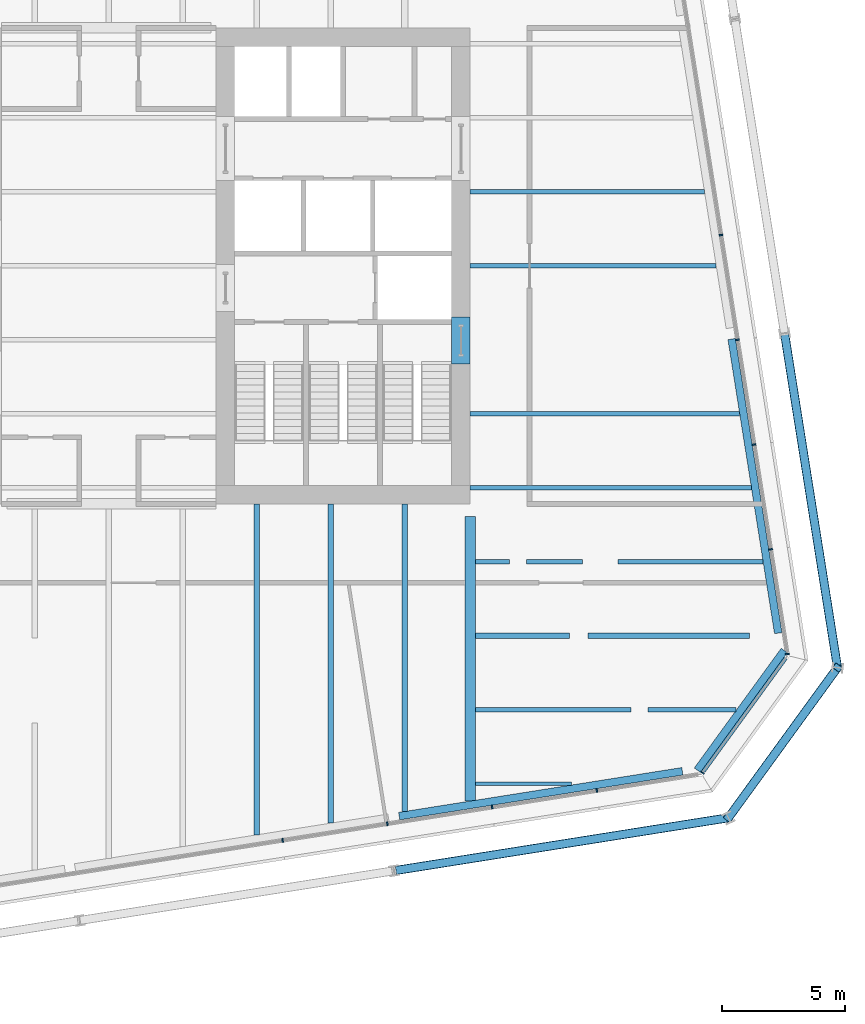
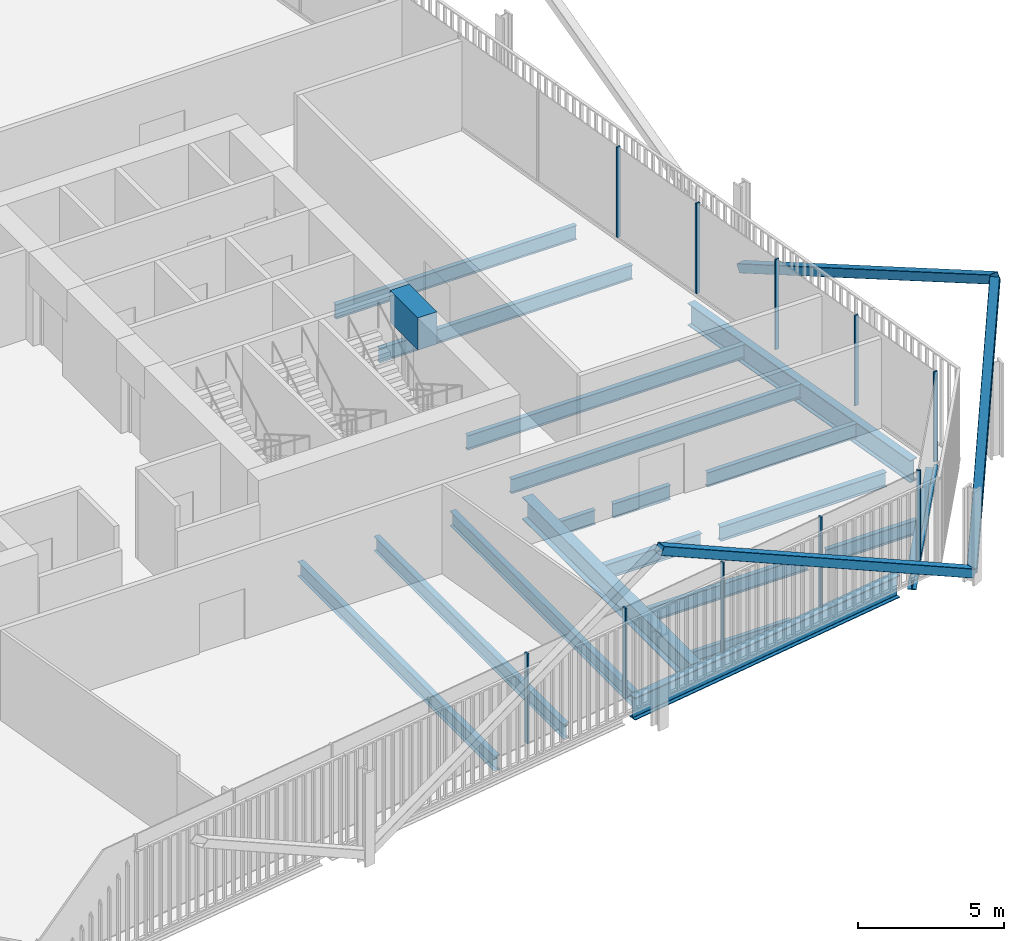
# One storey, part 6 of 19: 20 beams, 14 members, 3 elements without a shape of their own.
"""IFC4 building model written with IfcOpenShell, lengths in metres."""

from ifc_helpers import new_model, si_unit, direction, frame, origin, origin_2d, place, context, subcontext, project, spatial, rectangle, hollow_rectangle, i_section, extrude, material, layer, layer_set, material_profile, profile_set, type_object, element, aggregate, save


model = new_model("IFC4")

# Units and contexts
model_context = context("Model", 3, precision=1e-05, world=origin(), true_north=direction((0.0, 1.0)))
body_context = subcontext(model_context, "Body", "Model", "MODEL_VIEW")
ifc_project = project(units=[si_unit("LENGTHUNIT", "METRE"), si_unit("AREAUNIT", "SQUARE_METRE"), si_unit("VOLUMEUNIT", "CUBIC_METRE"), si_unit("PLANEANGLEUNIT", "RADIAN"), si_unit("MASSUNIT", "GRAM", prefix="KILO")], contexts=[model_context])

# Site, building, storey
site_placement = place(None, origin())
site = spatial("IfcSite", under=ifc_project, at=site_placement, CompositionType="ELEMENT")
building_placement = place(site_placement, origin())
building = spatial("IfcBuilding", under=site, at=building_placement, Name="Millrace Tower", CompositionType="ELEMENT")
storey_placement = place(building_placement, frame((0.0, 0.0, 129.5)))
storey = spatial("IfcBuildingStorey", under=building, at=storey_placement, Name="L28", CompositionType="ELEMENT", Elevation=129.5)

# Curtain wall, members
ifc_material_1 = material(Name="Aluminium and glass", Category="aluminium")
ifc_layer = layer(ifc_material_1, 0.14990234375)
ifc_layer_set = layer_set([ifc_layer], Name="Aluminium and glass")
curtain_wall_type = type_object("IfcCurtainWallType", Name="CW-1 office vision curtain wall", PredefinedType="NOTDEFINED", material=ifc_layer_set)
placement = place(storey_placement, origin())
curtain_wall_1 = element("IfcCurtainWall", 1, at=placement, inside=storey, type_object=curtain_wall_type, Name="Curtain wall C-F02 L28", PredefinedType="NOTDEFINED")
ifc_material_2 = material(Name="Aluminium", Category="aluminium")
ifc_material_profile_1 = material_profile(ifc_material_2, rectangle(XDim=0.06494140625, YDim=0.14990234375, at=origin_2d()))
ifc_profile_set_1 = profile_set([ifc_material_profile_1], Name="Aluminium")
member_type_1 = type_object("IfcMemberType", Name="CW-1 office vision curtain wall mullion", PredefinedType="MULLION", material=ifc_profile_set_1)
member_1_placement = place(storey_placement, frame((7.04345703125, -23.293212890625, 0.139892578125), z_axis=(0.0, 0.0, 1.0), x_axis=(0.98768833929, 0.15643447328, 0.0)))
member_1 = element("IfcMember", 2, at=member_1_placement, type_object=member_type_1, Name="CW1 mullion C-F02.6", PredefinedType="MULLION", context=body_context, shape_type="SweptSolid", body=[
    extrude(rectangle(XDim=0.06494140625, YDim=0.14990234375, at=origin_2d()), origin(), (0.0, 0.0, 1.0), 3.760009765625),
])
member_2_placement = place(storey_placement, frame((11.29052734375, -22.62060546875, 0.139892578125), z_axis=(0.0, 0.0, 1.0), x_axis=(0.98768833929, 0.15643447328, 0.0)))
member_2 = element("IfcMember", 3, at=member_2_placement, type_object=member_type_1, Name="CW1 mullion C-F02.7", PredefinedType="MULLION", context=body_context, shape_type="SweptSolid", body=[
    extrude(rectangle(XDim=0.06494140625, YDim=0.14990234375, at=origin_2d()), origin(), (0.0, 0.0, 1.0), 3.760009765625),
])
member_3_placement = place(storey_placement, frame((15.53759765625, -21.947998046875, 0.139892578125), z_axis=(0.0, 0.0, 1.0), x_axis=(0.98768833929, 0.15643447328, 0.0)))
member_3 = element("IfcMember", 4, at=member_3_placement, type_object=member_type_1, Name="CW1 mullion C-F02.8", PredefinedType="MULLION", context=body_context, shape_type="SweptSolid", body=[
    extrude(rectangle(XDim=0.06494140625, YDim=0.14990234375, at=origin_2d()), origin(), (0.0, 0.0, 1.0), 3.760009765625),
])
member_4_placement = place(storey_placement, frame((19.78466796875, -21.275390625, 0.139892578125), z_axis=(0.0, 0.0, 1.0), x_axis=(0.98768833929, 0.15643447328, 0.0)))
member_4 = element("IfcMember", 5, at=member_4_placement, type_object=member_type_1, Name="CW1 mullion C-F02.9", PredefinedType="MULLION", context=body_context, shape_type="SweptSolid", body=[
    extrude(rectangle(XDim=0.06494140625, YDim=0.14990234375, at=origin_2d()), origin(), (0.0, 0.0, 1.0), 3.760009765625),
])
aggregate(curtain_wall_1, [member_1, member_2, member_3, member_4])

# Curtain wall, member
curtain_wall_2 = element("IfcCurtainWall", 6, at=placement, inside=storey, type_object=curtain_wall_type, Name="Curtain wall C-F03 L28", PredefinedType="NOTDEFINED")
member_5_placement = place(storey_placement, frame((24.06787109375, -20.551513671875, 0.139892578125), z_axis=(0.0, 0.0, 1.0), x_axis=(0.587785269844, 0.809016981623, 0.0)))
member_5 = element("IfcMember", 7, at=member_5_placement, type_object=member_type_1, Name="CW1 mullion C-F03.1", PredefinedType="MULLION", context=body_context, shape_type="SweptSolid", body=[
    extrude(rectangle(XDim=0.06494140625, YDim=0.14990234375, at=origin_2d()), origin(), (0.0, 0.0, 1.0), 3.760009765625),
])

# Curtain wall, members
curtain_wall_3 = element("IfcCurtainWall", 8, at=placement, inside=storey, type_object=curtain_wall_type, Name="Curtain wall C-F04 L28", PredefinedType="NOTDEFINED")
member_6_placement = place(storey_placement, frame((27.506591796875, -15.74169921875, 0.139892578125), z_axis=(0.0, 0.0, 1.0), x_axis=(-0.15643447328, 0.98768833929, 0.0)))
member_6 = element("IfcMember", 9, at=member_6_placement, type_object=member_type_1, Name="CW1 mullion C-F04.1", PredefinedType="MULLION", context=body_context, shape_type="SweptSolid", body=[
    extrude(rectangle(XDim=0.06494140625, YDim=0.14990234375, at=origin_2d()), origin(), (0.0, 0.0, 1.0), 3.760009765625),
])
member_7_placement = place(storey_placement, frame((26.833984375, -11.49462890625, 0.139892578125), z_axis=(0.0, 0.0, 1.0), x_axis=(-0.15643447328, 0.98768833929, 0.0)))
member_7 = element("IfcMember", 10, at=member_7_placement, type_object=member_type_1, Name="CW1 mullion C-F04.2", PredefinedType="MULLION", context=body_context, shape_type="SweptSolid", body=[
    extrude(rectangle(XDim=0.06494140625, YDim=0.14990234375, at=origin_2d()), origin(), (0.0, 0.0, 1.0), 3.760009765625),
])
member_8_placement = place(storey_placement, frame((26.161376953125, -7.24755859375, 0.139892578125), z_axis=(0.0, 0.0, 1.0), x_axis=(-0.15643447328, 0.98768833929, 0.0)))
member_8 = element("IfcMember", 11, at=member_8_placement, type_object=member_type_1, Name="CW1 mullion C-F04.3", PredefinedType="MULLION", context=body_context, shape_type="SweptSolid", body=[
    extrude(rectangle(XDim=0.06494140625, YDim=0.14990234375, at=origin_2d()), origin(), (0.0, 0.0, 1.0), 3.760009765625),
])
member_9_placement = place(storey_placement, frame((25.48876953125, -3.00048828125, 0.139892578125), z_axis=(0.0, 0.0, 1.0), x_axis=(-0.15643447328, 0.98768833929, 0.0)))
member_9 = element("IfcMember", 12, at=member_9_placement, type_object=member_type_1, Name="CW1 mullion C-F04.4", PredefinedType="MULLION", context=body_context, shape_type="SweptSolid", body=[
    extrude(rectangle(XDim=0.06494140625, YDim=0.14990234375, at=origin_2d()), origin(), (0.0, 0.0, 1.0), 3.760009765625),
])
member_10_placement = place(storey_placement, frame((24.81591796875, 1.24658203125, 0.139892578125), z_axis=(0.0, 0.0, 1.0), x_axis=(-0.15643447328, 0.98768833929, 0.0)))
member_10 = element("IfcMember", 13, at=member_10_placement, type_object=member_type_1, Name="CW1 mullion C-F04.5", PredefinedType="MULLION", context=body_context, shape_type="SweptSolid", body=[
    extrude(rectangle(XDim=0.06494140625, YDim=0.14990234375, at=origin_2d()), origin(), (0.0, 0.0, 1.0), 3.760009765625),
])
aggregate(curtain_wall_3, [member_6, member_7, member_8, member_9, member_10])

# Member
ifc_material_3 = material(Name="Aluminium", Category="aluminium")
ifc_material_profile_2 = material_profile(ifc_material_3, rectangle(XDim=0.14990234375, YDim=0.139892578125, at=origin_2d()))
ifc_profile_set_2 = profile_set([ifc_material_profile_2], Name="Aluminium")
member_type_2 = type_object("IfcMemberType", Name="CW-1 office vision curtain wall transom", PredefinedType="USERDEFINED", material=ifc_profile_set_2)
member_11_placement = place(storey_placement, frame((24.107421875, -20.496826171875, 0.070068359375), z_axis=(0.587810581339, 0.808998591139, 0.0), x_axis=(-0.808998591139, 0.587810581339, 0.0)))
member_11 = element("IfcMember", 14, at=member_11_placement, type_object=member_type_2, Name="CW1 transom C-F03.1", ObjectType="TRANSOM", PredefinedType="USERDEFINED", context=body_context, shape_type="SweptSolid", body=[
    extrude(rectangle(XDim=0.14990234375, YDim=0.139892578125, at=origin_2d()), origin(), (0.0, 0.0, 1.0), 5.6689453125),
])

aggregate(curtain_wall_2, [member_5, member_11])

# Beam
ifc_material_4 = material(Name="Concrete C70", Category="concrete")
ifc_material_profile_3 = material_profile(ifc_material_4, rectangle(XDim=0.75, YDim=1.340087890625, at=origin_2d()))
ifc_profile_set_3 = profile_set([ifc_material_profile_3], Name="Concrete C70")
beam_type_1 = type_object("IfcBeamType", Name="Coupling beam 750 x 1340 Concrete C70, 1300 opening", PredefinedType="BEAM", material=ifc_profile_set_3)
beam_1_placement = place(storey_placement, frame((14.27490234375, -2.080078125, 3.070068359375), z_axis=(0.0, -1.0, 0.0), x_axis=(1.0, 0.0, 0.0)))
element("IfcBeam", 15, at=beam_1_placement, inside=storey, type_object=beam_type_1, Name="Coupling beam E L28", PredefinedType="BEAM", context=body_context, shape_type="SweptSolid", body=[
    extrude(rectangle(XDim=0.75, YDim=1.340087890625, at=origin_2d()), origin(), (0.0, 0.0, 1.0), 1.89990234375),
])

# Members
ifc_material_5 = material(Name="Steel ASTM A500 Grade C", Category="steel")
ifc_material_profile_4 = material_profile(ifc_material_5, hollow_rectangle(XDim=0.355712890625, YDim=0.355712890625, WallThickness=0.015869140625, InnerFilletRadius=0.008056640625, OuterFilletRadius=0.02392578125, at=origin_2d()))
ifc_profile_set_4 = profile_set([ifc_material_profile_4], Name="Steel ASTM A500 Grade C")
member_type_3 = type_object("IfcMemberType", Name="Exoskeleton brace HSS14x14x5/8", PredefinedType="BRACE", material=ifc_profile_set_4)
member_12_placement = place(storey_placement, frame((25.119140625, -22.37939453125, 0.39990234375), z_axis=(-0.879908188937, -0.139368965396, 0.454244285078), x_axis=(0.156440158434, -0.987687438833, 0.0)))
element("IfcMember", 16, at=member_12_placement, inside=storey, type_object=member_type_3, Name="BRC-C-L28-04", PredefinedType="BRACE", context=body_context, shape_type="SweptSolid", body=[
    extrude(hollow_rectangle(XDim=0.355712890625, YDim=0.355712890625, WallThickness=0.015869140625, InnerFilletRadius=0.008056640625, OuterFilletRadius=0.02392578125, at=origin_2d()), origin(), (0.0, 0.0, 1.0), 15.41015625),
])
member_13_placement = place(storey_placement, frame((25.119140625, -22.37939453125, 0.39990234375), z_axis=(0.430395153162, 0.592372334541, 0.681069034243), x_axis=(-0.809009551985, 0.587795495726, 0.0)))
element("IfcMember", 17, at=member_13_placement, inside=storey, type_object=member_type_3, Name="BRC-C-L28-05", PredefinedType="BRACE", context=body_context, shape_type="SweptSolid", body=[
    extrude(hollow_rectangle(XDim=0.355712890625, YDim=0.355712890625, WallThickness=0.015869140625, InnerFilletRadius=0.008056640625, OuterFilletRadius=0.02392578125, at=origin_2d()), origin(), (0.0, 0.0, 1.0), 10.278076171875),
])
member_14_placement = place(storey_placement, frame((27.39501953125, -2.7314453125, 0.39990234375), z_axis=(0.139368965396, -0.879908188937, 0.454244285078), x_axis=(0.987687438833, 0.156440158434, 0.0)))
element("IfcMember", 18, at=member_14_placement, inside=storey, type_object=member_type_3, Name="BRC-C-L28-06", PredefinedType="BRACE", context=body_context, shape_type="SweptSolid", body=[
    extrude(hollow_rectangle(XDim=0.355712890625, YDim=0.355712890625, WallThickness=0.015869140625, InnerFilletRadius=0.008056640625, OuterFilletRadius=0.02392578125, at=origin_2d()), origin(), (0.0, 0.0, 1.0), 15.41015625),
])

# Beams
ifc_material_6 = material(Name="Steel ASTM A992 Grade 50", Category="steel")
ifc_material_profile_5 = material_profile(ifc_material_6, i_section(OverallWidth=0.15234375, OverallDepth=0.449462890625, WebThickness=0.007568359375, FlangeThickness=0.0107421875, FilletRadius=0.01025390625, at=origin_2d()))
ifc_profile_set_5 = profile_set([ifc_material_profile_5], Name="Steel ASTM A992 Grade 50")
beam_type_2 = type_object("IfcBeamType", Name="Floor beam W18x35", PredefinedType="JOIST", material=ifc_profile_set_5)
beam_2_placement = place(storey_placement, frame((14.859619140625, -21.0, -0.384765625), z_axis=(1.0, 0.0, 0.0), x_axis=(0.0, 1.0, 0.0)))
element("IfcBeam", 19, at=beam_2_placement, inside=storey, type_object=beam_type_2, Name="BM-C-L28-S1-S003", PredefinedType="JOIST", context=body_context, shape_type="SweptSolid", body=[
    extrude(i_section(OverallWidth=0.15234375, OverallDepth=0.449462890625, WebThickness=0.007568359375, FlangeThickness=0.0107421875, FilletRadius=0.01025390625, at=origin_2d()), origin(), (0.0, 0.0, 1.0), 3.9033203125),
])
ifc_material_7 = material(Name="Steel ASTM A992 Grade 50", Category="steel")
ifc_material_profile_6 = material_profile(ifc_material_7, i_section(OverallWidth=0.177978515625, OverallDepth=0.599365234375, WebThickness=0.010009765625, FlangeThickness=0.012939453125, FilletRadius=0.012939453125, at=origin_2d()))
ifc_profile_set_6 = profile_set([ifc_material_profile_6], Name="Steel ASTM A992 Grade 50")
beam_type_3 = type_object("IfcBeamType", Name="Floor beam W24x55", PredefinedType="JOIST", material=ifc_profile_set_6)
beam_3_placement = place(storey_placement, frame((14.64990234375, 0.0, -0.459716796875), z_axis=(1.0, 0.0, 0.0), x_axis=(0.0, 1.0, 0.0)))
element("IfcBeam", 20, at=beam_3_placement, inside=storey, type_object=beam_type_3, Name="BM-C-L28-S1-S021", PredefinedType="JOIST", context=body_context, shape_type="SweptSolid", body=[
    extrude(i_section(OverallWidth=0.177978515625, OverallDepth=0.599365234375, WebThickness=0.010009765625, FlangeThickness=0.012939453125, FilletRadius=0.012939453125, at=origin_2d()), origin(), (0.0, 0.0, 1.0), 9.976318359375),
])
beam_4_placement = place(storey_placement, frame((14.64990234375, 3.0, -0.459716796875), z_axis=(1.0, 0.0, 0.0), x_axis=(0.0, 1.0, 0.0)))
element("IfcBeam", 21, at=beam_4_placement, inside=storey, type_object=beam_type_3, Name="BM-C-L28-S1-S024", PredefinedType="JOIST", context=body_context, shape_type="SweptSolid", body=[
    extrude(i_section(OverallWidth=0.177978515625, OverallDepth=0.599365234375, WebThickness=0.010009765625, FlangeThickness=0.012939453125, FilletRadius=0.012939453125, at=origin_2d()), origin(), (0.0, 0.0, 1.0), 9.501220703125),
])
ifc_material_8 = material(Name="Steel ASTM A992 Grade 50", Category="steel")
ifc_material_profile_7 = material_profile(ifc_material_8, i_section(OverallWidth=0.1787109375, OverallDepth=0.60205078125, WebThickness=0.010986328125, FlangeThickness=0.014892578125, FilletRadius=0.0126953125, at=origin_2d()))
ifc_profile_set_7 = profile_set([ifc_material_profile_7], Name="Steel ASTM A992 Grade 50")
beam_type_4 = type_object("IfcBeamType", Name="Floor beam W24x62", PredefinedType="JOIST", material=ifc_profile_set_7)
beam_5_placement = place(storey_placement, frame((14.64990234375, -9.0, -0.4609375), z_axis=(1.0, 0.0, 0.0), x_axis=(0.0, 1.0, 0.0)))
element("IfcBeam", 22, at=beam_5_placement, inside=storey, type_object=beam_type_4, Name="BM-C-L28-S1-S012", PredefinedType="JOIST", context=body_context, shape_type="SweptSolid", body=[
    extrude(i_section(OverallWidth=0.1787109375, OverallDepth=0.60205078125, WebThickness=0.010986328125, FlangeThickness=0.014892578125, FilletRadius=0.0126953125, at=origin_2d()), origin(), (0.0, 0.0, 1.0), 11.40185546875),
])
beam_6_placement = place(storey_placement, frame((14.64990234375, -6.0, -0.4609375), z_axis=(1.0, 0.0, 0.0), x_axis=(0.0, 1.0, 0.0)))
element("IfcBeam", 23, at=beam_6_placement, inside=storey, type_object=beam_type_4, Name="BM-C-L28-S1-S015", PredefinedType="JOIST", context=body_context, shape_type="SweptSolid", body=[
    extrude(i_section(OverallWidth=0.1787109375, OverallDepth=0.60205078125, WebThickness=0.010986328125, FlangeThickness=0.014892578125, FilletRadius=0.0126953125, at=origin_2d()), origin(), (0.0, 0.0, 1.0), 10.9267578125),
])
beam_7_placement = place(storey_placement, frame((14.859619140625, -12.0, -0.4609375), z_axis=(1.0, 0.0, 0.0), x_axis=(0.0, 1.0, 0.0)))
element("IfcBeam", 24, at=beam_7_placement, inside=storey, type_object=beam_type_4, Name="BM-C-L28-S1-S009-a", PredefinedType="JOIST", context=body_context, shape_type="SweptSolid", body=[
    extrude(i_section(OverallWidth=0.1787109375, OverallDepth=0.60205078125, WebThickness=0.010986328125, FlangeThickness=0.014892578125, FilletRadius=0.0126953125, at=origin_2d()), origin(), (0.0, 0.0, 1.0), 1.374267578125),
])
beam_8_placement = place(storey_placement, frame((14.859619140625, -18.0, -0.4609375), z_axis=(1.0, 0.0, 0.0), x_axis=(0.0, 1.0, 0.0)))
element("IfcBeam", 25, at=beam_8_placement, inside=storey, type_object=beam_type_4, Name="BM-C-L28-S1-S005-a", PredefinedType="JOIST", context=body_context, shape_type="SweptSolid", body=[
    extrude(i_section(OverallWidth=0.1787109375, OverallDepth=0.60205078125, WebThickness=0.010986328125, FlangeThickness=0.014892578125, FilletRadius=0.0126953125, at=origin_2d()), origin(), (0.0, 0.0, 1.0), 6.308837890625),
])
beam_9_placement = place(storey_placement, frame((21.865966796875, -18.0, -0.4609375), z_axis=(1.0, 0.0, 0.0), x_axis=(0.0, 1.0, 0.0)))
element("IfcBeam", 26, at=beam_9_placement, inside=storey, type_object=beam_type_4, Name="BM-C-L28-S1-S005-b", PredefinedType="JOIST", context=body_context, shape_type="SweptSolid", body=[
    extrude(i_section(OverallWidth=0.1787109375, OverallDepth=0.60205078125, WebThickness=0.010986328125, FlangeThickness=0.014892578125, FilletRadius=0.0126953125, at=origin_2d()), origin(), (0.0, 0.0, 1.0), 3.571044921875),
])
beam_10_placement = place(storey_placement, frame((16.931396484375, -12.0, -0.4609375), z_axis=(1.0, 0.0, 0.0), x_axis=(0.0, 1.0, 0.0)))
element("IfcBeam", 27, at=beam_10_placement, inside=storey, type_object=beam_type_4, Name="BM-C-L28-S1-S009-b-a", PredefinedType="JOIST", context=body_context, shape_type="SweptSolid", body=[
    extrude(i_section(OverallWidth=0.1787109375, OverallDepth=0.60205078125, WebThickness=0.010986328125, FlangeThickness=0.014892578125, FilletRadius=0.0126953125, at=origin_2d()), origin(), (0.0, 0.0, 1.0), 2.263427734375),
])
beam_11_placement = place(storey_placement, frame((20.645263671875, -12.0, -0.4609375), z_axis=(1.0, 0.0, 0.0), x_axis=(0.0, 1.0, 0.0)))
element("IfcBeam", 28, at=beam_11_placement, inside=storey, type_object=beam_type_4, Name="BM-C-L28-S1-S009-b-b", PredefinedType="JOIST", context=body_context, shape_type="SweptSolid", body=[
    extrude(i_section(OverallWidth=0.1787109375, OverallDepth=0.60205078125, WebThickness=0.010986328125, FlangeThickness=0.014892578125, FilletRadius=0.0126953125, at=origin_2d()), origin(), (0.0, 0.0, 1.0), 5.881591796875),
])
ifc_material_9 = material(Name="Steel ASTM A992 Grade 50", Category="steel")
ifc_material_profile_8 = material_profile(ifc_material_9, i_section(OverallWidth=0.228271484375, OverallDepth=0.607177734375, WebThickness=0.01123046875, FlangeThickness=0.017333984375, FilletRadius=0.0126953125, at=origin_2d()))
ifc_profile_set_8 = profile_set([ifc_material_profile_8], Name="Steel ASTM A992 Grade 50")
beam_type_5 = type_object("IfcBeamType", Name="Floor beam W24x76", PredefinedType="JOIST", material=ifc_profile_set_8)
beam_12_placement = place(storey_placement, frame((6.0, -23.071533203125, -0.463623046875), z_axis=(0.0, 1.0, 0.0), x_axis=(-1.0, 0.0, 0.0)))
element("IfcBeam", 29, at=beam_12_placement, inside=storey, type_object=beam_type_5, Name="BM-C-L28-S1-S052", PredefinedType="JOIST", context=body_context, shape_type="SweptSolid", body=[
    extrude(i_section(OverallWidth=0.228271484375, OverallDepth=0.607177734375, WebThickness=0.01123046875, FlangeThickness=0.017333984375, FilletRadius=0.0126953125, at=origin_2d()), origin(), (0.0, 0.0, 1.0), 13.421630859375),
])
beam_13_placement = place(storey_placement, frame((9.0, -22.596435546875, -0.463623046875), z_axis=(0.0, 1.0, 0.0), x_axis=(-1.0, 0.0, 0.0)))
element("IfcBeam", 30, at=beam_13_placement, inside=storey, type_object=beam_type_5, Name="BM-C-L28-S1-S054", PredefinedType="JOIST", context=body_context, shape_type="SweptSolid", body=[
    extrude(i_section(OverallWidth=0.228271484375, OverallDepth=0.607177734375, WebThickness=0.01123046875, FlangeThickness=0.017333984375, FilletRadius=0.0126953125, at=origin_2d()), origin(), (0.0, 0.0, 1.0), 12.946533203125),
])
beam_14_placement = place(storey_placement, frame((12.0, -22.12109375, -0.463623046875), z_axis=(0.0, 1.0, 0.0), x_axis=(-1.0, 0.0, 0.0)))
element("IfcBeam", 31, at=beam_14_placement, inside=storey, type_object=beam_type_5, Name="BM-C-L28-S1-S056", PredefinedType="JOIST", context=body_context, shape_type="SweptSolid", body=[
    extrude(i_section(OverallWidth=0.228271484375, OverallDepth=0.607177734375, WebThickness=0.01123046875, FlangeThickness=0.017333984375, FilletRadius=0.0126953125, at=origin_2d()), origin(), (0.0, 0.0, 1.0), 12.47119140625),
])
beam_15_placement = place(storey_placement, frame((14.859619140625, -15.0, -0.463623046875), z_axis=(1.0, 0.0, 0.0), x_axis=(0.0, 1.0, 0.0)))
element("IfcBeam", 32, at=beam_15_placement, inside=storey, type_object=beam_type_5, Name="BM-C-L28-S1-S007-a", PredefinedType="JOIST", context=body_context, shape_type="SweptSolid", body=[
    extrude(i_section(OverallWidth=0.228271484375, OverallDepth=0.607177734375, WebThickness=0.01123046875, FlangeThickness=0.017333984375, FilletRadius=0.0126953125, at=origin_2d()), origin(), (0.0, 0.0, 1.0), 3.821533203125),
])
beam_16_placement = place(storey_placement, frame((19.418701171875, -15.0, -0.463623046875), z_axis=(1.0, 0.0, 0.0), x_axis=(0.0, 1.0, 0.0)))
element("IfcBeam", 33, at=beam_16_placement, inside=storey, type_object=beam_type_5, Name="BM-C-L28-S1-S007-b", PredefinedType="JOIST", context=body_context, shape_type="SweptSolid", body=[
    extrude(i_section(OverallWidth=0.228271484375, OverallDepth=0.607177734375, WebThickness=0.01123046875, FlangeThickness=0.017333984375, FilletRadius=0.0126953125, at=origin_2d()), origin(), (0.0, 0.0, 1.0), 6.55126953125),
])
ifc_material_10 = material(Name="Steel ASTM A992 Grade 50", Category="steel")
ifc_material_profile_9 = material_profile(ifc_material_10, i_section(OverallWidth=0.419189453125, OverallDepth=0.927001953125, WebThickness=0.019287109375, FlangeThickness=0.031982421875, FilletRadius=0.024169921875, at=origin_2d()))
ifc_profile_set_9 = profile_set([ifc_material_profile_9], Name="Steel ASTM A992 Grade 50")
beam_type_6 = type_object("IfcBeamType", Name="Girder short span W36x231", PredefinedType="BEAM", material=ifc_profile_set_9)
beam_17_placement = place(storey_placement, frame((14.64990234375, -21.693603515625, -0.62353515625), z_axis=(0.0, 1.0, 0.0), x_axis=(-1.0, 0.0, 0.0)))
element("IfcBeam", 34, at=beam_17_placement, inside=storey, type_object=beam_type_6, Name="BM-C-L28-S1-G060", PredefinedType="BEAM", context=body_context, shape_type="SweptSolid", body=[
    extrude(i_section(OverallWidth=0.419189453125, OverallDepth=0.927001953125, WebThickness=0.019287109375, FlangeThickness=0.031982421875, FilletRadius=0.024169921875, at=origin_2d()), origin(), (0.0, 0.0, 1.0), 11.527587890625),
])
ifc_material_11 = material(Name="Steel ASTM A992 Grade 50", Category="steel")
ifc_material_profile_10 = material_profile(ifc_material_11, i_section(OverallWidth=0.307373046875, OverallDepth=0.927001953125, WebThickness=0.01953125, FlangeThickness=0.031982421875, FilletRadius=0.01904296875, at=origin_2d()))
ifc_profile_set_10 = profile_set([ifc_material_profile_10], Name="Steel ASTM A992 Grade 50")
beam_type_7 = type_object("IfcBeamType", Name="Ring beam medium span W36x194", PredefinedType="SPANDREL", material=ifc_profile_set_10)
beam_18_placement = place(storey_placement, frame((25.252197265625, -2.9697265625, -0.62353515625), z_axis=(0.156435032803, -0.98768825067, 0.0), x_axis=(0.98768825067, 0.156435032803, 0.0)))
element("IfcBeam", 35, at=beam_18_placement, inside=storey, type_object=beam_type_7, Name="RNG-C-L28-S1-11", PredefinedType="SPANDREL", context=body_context, shape_type="SweptSolid", body=[
    extrude(i_section(OverallWidth=0.307373046875, OverallDepth=0.927001953125, WebThickness=0.01953125, FlangeThickness=0.031982421875, FilletRadius=0.01904296875, at=origin_2d()), origin(), (0.0, 0.0, 1.0), 12.0732421875),
])
ifc_material_12 = material(Name="Steel ASTM A992 Grade 50", Category="steel")
ifc_material_profile_11 = material_profile(ifc_material_12, i_section(OverallWidth=0.307373046875, OverallDepth=0.927001953125, WebThickness=0.01953125, FlangeThickness=0.031982421875, FilletRadius=0.01904296875, at=origin_2d()))
ifc_profile_set_11 = profile_set([ifc_material_profile_11], Name="Steel ASTM A992 Grade 50")
beam_type_8 = type_object("IfcBeamType", Name="Ring beam short span W36x194", PredefinedType="SPANDREL", material=ifc_profile_set_11)
beam_19_placement = place(storey_placement, frame((27.384033203125, -15.597900390625, -0.62353515625), z_axis=(-0.587784379925, -0.809017628186, 0.0), x_axis=(0.809017628186, -0.587784379925, 0.0)))
element("IfcBeam", 36, at=beam_19_placement, inside=storey, type_object=beam_type_8, Name="RNG-C-L28-S1-12", PredefinedType="SPANDREL", context=body_context, shape_type="SweptSolid", body=[
    extrude(i_section(OverallWidth=0.307373046875, OverallDepth=0.927001953125, WebThickness=0.01953125, FlangeThickness=0.031982421875, FilletRadius=0.01904296875, at=origin_2d()), origin(), (0.0, 0.0, 1.0), 5.997802734375),
])
beam_20_placement = place(storey_placement, frame((23.25146484375, -20.49462890625, -0.62353515625), z_axis=(-0.987685701154, -0.156451128905, 0.0), x_axis=(0.156451128905, -0.987685701154, 0.0)))
element("IfcBeam", 37, at=beam_20_placement, inside=storey, type_object=beam_type_8, Name="RNG-C-L28-S1-13", PredefinedType="SPANDREL", context=body_context, shape_type="SweptSolid", body=[
    extrude(i_section(OverallWidth=0.307373046875, OverallDepth=0.927001953125, WebThickness=0.01953125, FlangeThickness=0.031982421875, FilletRadius=0.01904296875, at=origin_2d()), origin(), (0.0, 0.0, 1.0), 11.6240234375),
])

save(model, "model.ifc")
